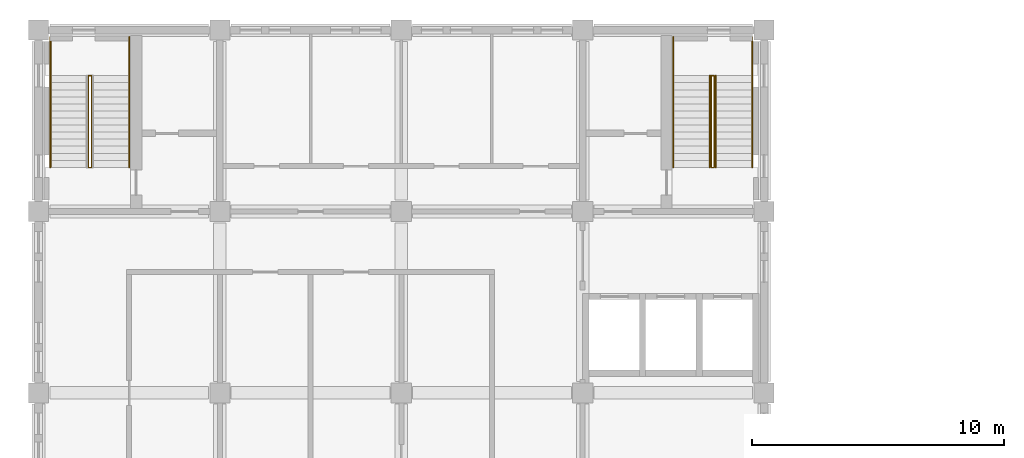
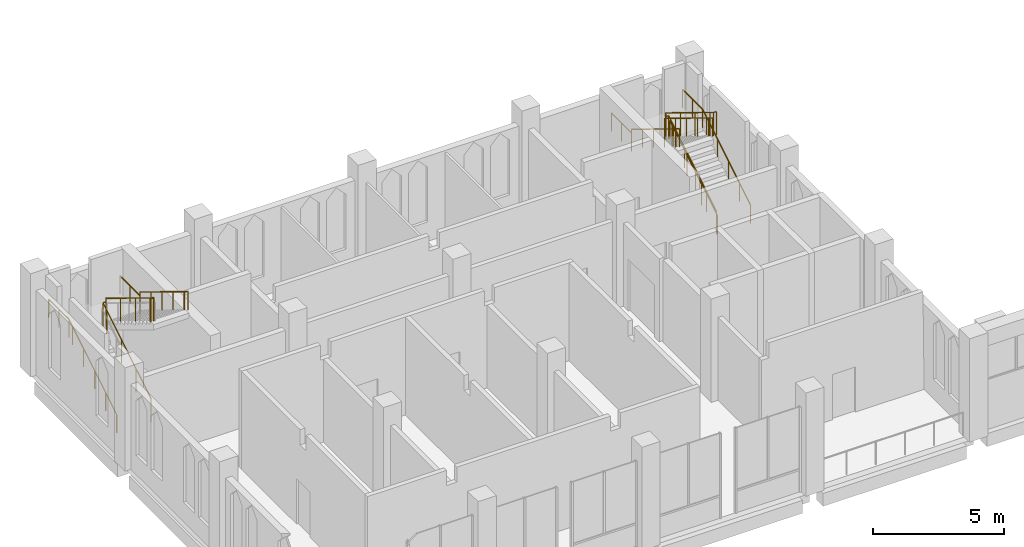
# One storey, part 31 of 31: 8 railings.
"""IFC4 building model written with IfcOpenShell, lengths in metres."""

from ifc_helpers import new_model, si_unit, direction, frame, origin, origin_2d, place, context, subcontext, project, spatial, circle, extrude, material, type_object, element, save


model = new_model("IFC4")

# Units and contexts
model_context = context("Model", 3, precision=1e-05, world=origin(), true_north=direction((0.0, 1.0)))
body_context = subcontext(model_context, "Body", "Model", "MODEL_VIEW")
ifc_project = project(units=[si_unit("LENGTHUNIT", "METRE"), si_unit("AREAUNIT", "SQUARE_METRE"), si_unit("VOLUMEUNIT", "CUBIC_METRE"), si_unit("PLANEANGLEUNIT", "RADIAN"), si_unit("MASSUNIT", "GRAM", prefix="KILO")], contexts=[model_context])

# Site, building, storey
site_placement = place(None, origin())
site = spatial("IfcSite", under=ifc_project, at=site_placement, CompositionType="ELEMENT")
building_placement = place(site_placement, origin())
building = spatial("IfcBuilding", under=site, at=building_placement, Name="Silangan Lancet Faculty of Sciences", CompositionType="ELEMENT")
storey_placement = place(building_placement, frame((0.0, 0.0, 36.0)))
storey = spatial("IfcBuildingStorey", under=building, at=storey_placement, Name="L07", CompositionType="ELEMENT", Elevation=36.0)

# Railings
ifc_material_1 = material(Name="Steel balustrade", Category="steel")
railing_type_1 = type_object("IfcRailingType", Name="STAIR GUARD 1100", PredefinedType="GUARDRAIL", material=ifc_material_1)
railing_1_placement = place(storey_placement, frame((1.97509765625, 52.14990234375, 0.17138671875)))
element("IfcRailing", 1, at=railing_1_placement, inside=storey, type_object=railing_type_1, Name="GUARD-NT-A-L07", PredefinedType="GUARDRAIL", context=body_context, shape_type="SweptSolid", body=[
    extrude(circle(Radius=0.02392578125, at=origin_2d()), frame((0.0, 0.0, 1.076171875), z_axis=(0.0, 0.852849614702, 0.52215661894), x_axis=(-1.0, 0.0, 0.0)), (0.0, 0.0, 1.0), 1.3134765625),
    extrude(circle(Radius=0.02392578125, at=origin_2d()), frame((0.0, 1.1201171875, 1.76171875), z_axis=(0.0, 0.852798921012, 0.522239409008), x_axis=(-1.0, 0.0, 0.0)), (0.0, 0.0, 1.0), 1.313232421875),
    extrude(circle(Radius=0.02392578125, at=origin_2d()), frame((0.0, 2.239990234375, 2.44775390625), z_axis=(0.0, 0.852932391421, 0.522021393877), x_axis=(-1.0, 0.0, 0.0)), (0.0, 0.0, 1.0), 1.313232421875),
    extrude(circle(Radius=0.02392578125, at=origin_2d()), frame((0.0, 3.360107421875, 3.13330078125), z_axis=(0.0, 0.852932391421, 0.522021393877), x_axis=(-1.0, 0.0, 0.0)), (0.0, 0.0, 1.0), 0.328369140625),
    extrude(circle(Radius=0.02392578125, at=origin_2d()), frame((0.0, 3.64013671875, 3.3046875), z_axis=(1.0, 0.0, 0.0), x_axis=(0.0, 1.0, 0.0)), (0.0, 0.0, 1.0), 0.125),
    extrude(circle(Radius=0.02392578125, at=origin_2d()), frame((0.125, 3.64013671875, 3.3046875), z_axis=(0.0, 0.0, 1.0), x_axis=(1.0, 0.0, 0.0)), (0.0, 0.0, 1.0), 0.17138671875),
    extrude(circle(Radius=0.02392578125, at=origin_2d()), frame((0.125, 3.64013671875, 3.47607421875), z_axis=(0.0, -0.852849614702, 0.52215661894), x_axis=(1.0, 0.0, 0.0)), (0.0, 0.0, 1.0), 1.3134765625),
    extrude(circle(Radius=0.02392578125, at=origin_2d()), frame((0.125, 2.52001953125, 4.16162109375), z_axis=(0.0, -0.852798921012, 0.522239409008), x_axis=(1.0, 0.0, 0.0)), (0.0, 0.0, 1.0), 1.313232421875),
    extrude(circle(Radius=0.02392578125, at=origin_2d()), frame((0.125, 1.400146484375, 4.84765625), z_axis=(0.0, -0.852849614702, 0.52215661894), x_axis=(1.0, 0.0, 0.0)), (0.0, 0.0, 1.0), 1.3134765625),
    extrude(circle(Radius=0.02392578125, at=origin_2d()), frame((0.125, 0.280029296875, 5.533203125), z_axis=(0.0, -0.852932391421, 0.522021393877), x_axis=(1.0, 0.0, 0.0)), (0.0, 0.0, 1.0), 0.328369140625),
    extrude(circle(Radius=0.02392578125, at=origin_2d()), frame((0.125, 0.0, 5.70458984375), z_axis=(-1.0, 0.0, 0.0), x_axis=(0.0, -1.0, 0.0)), (0.0, 0.0, 1.0), 0.125),
    extrude(circle(Radius=0.02099609375, at=origin_2d()), origin(), (0.0, 0.0, 1.0), 1.052001953125),
    extrude(circle(Radius=0.02099609375, at=origin_2d()), frame((0.0, 1.1201171875, 0.685791015625)), (0.0, 0.0, 1.0), 1.052001953125),
    extrude(circle(Radius=0.02099609375, at=origin_2d()), frame((0.0, 2.239990234375, 1.37158203125)), (0.0, 0.0, 1.0), 1.052001953125),
    extrude(circle(Radius=0.02099609375, at=origin_2d()), frame((0.0, 3.360107421875, 2.05712890625)), (0.0, 0.0, 1.0), 1.052001953125),
    extrude(circle(Radius=0.02099609375, at=origin_2d()), frame((0.0, 3.64013671875, 2.228515625)), (0.0, 0.0, 1.0), 1.052001953125),
    extrude(circle(Radius=0.02099609375, at=origin_2d()), frame((0.125, 3.64013671875, 2.228515625)), (0.0, 0.0, 1.0), 1.052001953125),
    extrude(circle(Radius=0.02099609375, at=origin_2d()), frame((0.125, 3.64013671875, 2.39990234375)), (0.0, 0.0, 1.0), 1.052001953125),
    extrude(circle(Radius=0.02099609375, at=origin_2d()), frame((0.125, 2.52001953125, 3.085693359375)), (0.0, 0.0, 1.0), 1.052001953125),
    extrude(circle(Radius=0.02099609375, at=origin_2d()), frame((0.125, 1.400146484375, 3.771484375)), (0.0, 0.0, 1.0), 1.052001953125),
    extrude(circle(Radius=0.02099609375, at=origin_2d()), frame((0.125, 0.280029296875, 4.457275390625)), (0.0, 0.0, 1.0), 1.052001953125),
    extrude(circle(Radius=0.02099609375, at=origin_2d()), frame((0.125, 0.0, 4.628662109375)), (0.0, 0.0, 1.0), 1.052001953125),
    extrude(circle(Radius=0.02099609375, at=origin_2d()), frame((0.0, 0.0, 4.628662109375)), (0.0, 0.0, 1.0), 1.052001953125),
])
railing_2_placement = place(storey_placement, frame((26.824951171875, 52.14990234375, 0.17138671875)))
element("IfcRailing", 2, at=railing_2_placement, inside=storey, type_object=railing_type_1, Name="GUARD-NT-B-L07", PredefinedType="GUARDRAIL", context=body_context, shape_type="SweptSolid", body=[
    extrude(circle(Radius=0.02392578125, at=origin_2d()), frame((0.0, 0.0, 1.076171875), z_axis=(0.0, 0.852849614702, 0.52215661894), x_axis=(-1.0, 0.0, 0.0)), (0.0, 0.0, 1.0), 1.3134765625),
    extrude(circle(Radius=0.02392578125, at=origin_2d()), frame((0.0, 1.1201171875, 1.76171875), z_axis=(0.0, 0.852798921012, 0.522239409008), x_axis=(-1.0, 0.0, 0.0)), (0.0, 0.0, 1.0), 1.313232421875),
    extrude(circle(Radius=0.02392578125, at=origin_2d()), frame((0.0, 2.239990234375, 2.44775390625), z_axis=(0.0, 0.852932391421, 0.522021393877), x_axis=(-1.0, 0.0, 0.0)), (0.0, 0.0, 1.0), 1.313232421875),
    extrude(circle(Radius=0.02392578125, at=origin_2d()), frame((0.0, 3.360107421875, 3.13330078125), z_axis=(0.0, 0.852932391421, 0.522021393877), x_axis=(-1.0, 0.0, 0.0)), (0.0, 0.0, 1.0), 0.328369140625),
    extrude(circle(Radius=0.02392578125, at=origin_2d()), frame((0.0, 3.64013671875, 3.3046875), z_axis=(-1.0, 0.0, 0.0), x_axis=(0.0, -1.0, 0.0)), (0.0, 0.0, 1.0), 0.125),
    extrude(circle(Radius=0.02392578125, at=origin_2d()), frame((-0.125, 3.64013671875, 3.3046875), z_axis=(0.0, 0.0, 1.0), x_axis=(1.0, 0.0, 0.0)), (0.0, 0.0, 1.0), 0.17138671875),
    extrude(circle(Radius=0.02392578125, at=origin_2d()), frame((-0.125, 3.64013671875, 3.47607421875), z_axis=(0.0, -0.852849614702, 0.52215661894), x_axis=(1.0, 0.0, 0.0)), (0.0, 0.0, 1.0), 1.3134765625),
    extrude(circle(Radius=0.02392578125, at=origin_2d()), frame((-0.125, 2.52001953125, 4.16162109375), z_axis=(0.0, -0.852798921012, 0.522239409008), x_axis=(1.0, 0.0, 0.0)), (0.0, 0.0, 1.0), 1.313232421875),
    extrude(circle(Radius=0.02392578125, at=origin_2d()), frame((-0.125, 1.400146484375, 4.84765625), z_axis=(0.0, -0.852849614702, 0.52215661894), x_axis=(1.0, 0.0, 0.0)), (0.0, 0.0, 1.0), 1.3134765625),
    extrude(circle(Radius=0.02392578125, at=origin_2d()), frame((-0.125, 0.280029296875, 5.533203125), z_axis=(0.0, -0.852932391421, 0.522021393877), x_axis=(1.0, 0.0, 0.0)), (0.0, 0.0, 1.0), 0.328369140625),
    extrude(circle(Radius=0.02392578125, at=origin_2d()), frame((-0.125, 0.0, 5.70458984375), z_axis=(1.0, 0.0, 0.0), x_axis=(0.0, 1.0, 0.0)), (0.0, 0.0, 1.0), 0.125),
    extrude(circle(Radius=0.02099609375, at=origin_2d()), origin(), (0.0, 0.0, 1.0), 1.052001953125),
    extrude(circle(Radius=0.02099609375, at=origin_2d()), frame((0.0, 1.1201171875, 0.685791015625)), (0.0, 0.0, 1.0), 1.052001953125),
    extrude(circle(Radius=0.02099609375, at=origin_2d()), frame((0.0, 2.239990234375, 1.37158203125)), (0.0, 0.0, 1.0), 1.052001953125),
    extrude(circle(Radius=0.02099609375, at=origin_2d()), frame((0.0, 3.360107421875, 2.05712890625)), (0.0, 0.0, 1.0), 1.052001953125),
    extrude(circle(Radius=0.02099609375, at=origin_2d()), frame((0.0, 3.64013671875, 2.228515625)), (0.0, 0.0, 1.0), 1.052001953125),
    extrude(circle(Radius=0.02099609375, at=origin_2d()), frame((-0.125, 3.64013671875, 2.228515625)), (0.0, 0.0, 1.0), 1.052001953125),
    extrude(circle(Radius=0.02099609375, at=origin_2d()), frame((-0.125, 3.64013671875, 2.39990234375)), (0.0, 0.0, 1.0), 1.052001953125),
    extrude(circle(Radius=0.02099609375, at=origin_2d()), frame((-0.125, 2.52001953125, 3.085693359375)), (0.0, 0.0, 1.0), 1.052001953125),
    extrude(circle(Radius=0.02099609375, at=origin_2d()), frame((-0.125, 1.400146484375, 3.771484375)), (0.0, 0.0, 1.0), 1.052001953125),
    extrude(circle(Radius=0.02099609375, at=origin_2d()), frame((-0.125, 0.280029296875, 4.457275390625)), (0.0, 0.0, 1.0), 1.052001953125),
    extrude(circle(Radius=0.02099609375, at=origin_2d()), frame((-0.125, 0.0, 4.628662109375)), (0.0, 0.0, 1.0), 1.052001953125),
    extrude(circle(Radius=0.02099609375, at=origin_2d()), frame((0.0, 0.0, 4.628662109375)), (0.0, 0.0, 1.0), 1.052001953125),
])
ifc_material_2 = material(Name="Stainless steel", Category="steel")
railing_type_2 = type_object("IfcRailingType", Name="STAIR HANDRAIL 865", PredefinedType="HANDRAIL", material=ifc_material_2)
railing_3_placement = place(storey_placement, frame((0.47509765625, 52.14990234375, 0.17138671875)))
element("IfcRailing", 3, at=railing_3_placement, inside=storey, type_object=railing_type_2, Name="HANDRAIL-NT-A-L07-O1", PredefinedType="HANDRAIL", context=body_context, shape_type="SweptSolid", body=[
    extrude(circle(Radius=0.02392578125, at=origin_2d()), frame((0.0, 0.0, 0.8408203125), z_axis=(0.0, 0.852822021269, 0.522201685212), x_axis=(-1.0, 0.0, 0.0)), (0.0, 0.0, 1.0), 0.985107421875),
    extrude(circle(Radius=0.02392578125, at=origin_2d()), frame((0.0, 0.840087890625, 1.35546875), z_axis=(0.0, 0.852932391421, 0.522021393877), x_axis=(-1.0, 0.0, 0.0)), (0.0, 0.0, 1.0), 0.98486328125),
    extrude(circle(Radius=0.02392578125, at=origin_2d()), frame((0.0, 1.68017578125, 1.86962890625), z_axis=(0.0, 0.852754414843, 0.522312079092), x_axis=(-1.0, 0.0, 0.0)), (0.0, 0.0, 1.0), 0.98486328125),
    extrude(circle(Radius=0.02392578125, at=origin_2d()), frame((0.0, 2.52001953125, 2.3837890625), z_axis=(0.0, 0.852932391421, 0.522021393877), x_axis=(-1.0, 0.0, 0.0)), (0.0, 0.0, 1.0), 0.98486328125),
    extrude(circle(Radius=0.02392578125, at=origin_2d()), frame((0.0, 3.360107421875, 2.89794921875), z_axis=(0.0, 0.852932391421, 0.522021393877), x_axis=(-1.0, 0.0, 0.0)), (0.0, 0.0, 1.0), 0.328369140625),
    extrude(circle(Radius=0.02392578125, at=origin_2d()), frame((0.0, 3.64013671875, 3.0693359375), z_axis=(0.0, 1.0, 0.0), x_axis=(-1.0, 0.0, 0.0)), (0.0, 0.0, 1.0), 1.534912109375),
    extrude(circle(Radius=0.02099609375, at=origin_2d()), origin(), (0.0, 0.0, 1.0), 0.81689453125),
    extrude(circle(Radius=0.02099609375, at=origin_2d()), frame((0.0, 0.840087890625, 0.514404296875)), (0.0, 0.0, 1.0), 0.81689453125),
    extrude(circle(Radius=0.02099609375, at=origin_2d()), frame((0.0, 1.68017578125, 1.028564453125)), (0.0, 0.0, 1.0), 0.81689453125),
    extrude(circle(Radius=0.02099609375, at=origin_2d()), frame((0.0, 2.52001953125, 1.54296875)), (0.0, 0.0, 1.0), 0.81689453125),
    extrude(circle(Radius=0.02099609375, at=origin_2d()), frame((0.0, 3.360107421875, 2.05712890625)), (0.0, 0.0, 1.0), 0.81689453125),
    extrude(circle(Radius=0.02099609375, at=origin_2d()), frame((0.0, 3.64013671875, 2.228515625)), (0.0, 0.0, 1.0), 0.81689453125),
    extrude(circle(Radius=0.02099609375, at=origin_2d()), frame((0.0, 4.40771484375, 2.228515625)), (0.0, 0.0, 1.0), 0.81689453125),
    extrude(circle(Radius=0.02099609375, at=origin_2d()), frame((0.0, 5.175048828125, 2.228515625)), (0.0, 0.0, 1.0), 0.81689453125),
])
railing_4_placement = place(storey_placement, frame((3.60009765625, 57.324951171875, 2.39990234375)))
element("IfcRailing", 4, at=railing_4_placement, inside=storey, type_object=railing_type_2, Name="HANDRAIL-NT-A-L07-O2", PredefinedType="HANDRAIL", context=body_context, shape_type="SweptSolid", body=[
    extrude(circle(Radius=0.02392578125, at=origin_2d()), frame((0.0, 0.0, 0.8408203125), z_axis=(0.0, -1.0, 0.0), x_axis=(1.0, 0.0, 0.0)), (0.0, 0.0, 1.0), 1.534912109375),
    extrude(circle(Radius=0.02392578125, at=origin_2d()), frame((0.0, -1.534912109375, 0.8408203125), z_axis=(0.0, 0.0, 1.0), x_axis=(1.0, 0.0, 0.0)), (0.0, 0.0, 1.0), 0.17138671875),
    extrude(circle(Radius=0.02392578125, at=origin_2d()), frame((0.0, -1.534912109375, 1.01220703125), z_axis=(0.0, -0.852822021269, 0.522201685212), x_axis=(1.0, 0.0, 0.0)), (0.0, 0.0, 1.0), 0.985107421875),
    extrude(circle(Radius=0.02392578125, at=origin_2d()), frame((0.0, -2.375, 1.52685546875), z_axis=(0.0, -0.852754414843, 0.522312079092), x_axis=(1.0, 0.0, 0.0)), (0.0, 0.0, 1.0), 0.98486328125),
    extrude(circle(Radius=0.02392578125, at=origin_2d()), frame((0.0, -3.21484375, 2.041015625), z_axis=(0.0, -0.852932391421, 0.522021393877), x_axis=(1.0, 0.0, 0.0)), (0.0, 0.0, 1.0), 0.98486328125),
    extrude(circle(Radius=0.02392578125, at=origin_2d()), frame((0.0, -4.054931640625, 2.55517578125), z_axis=(0.0, -0.852822021269, 0.522201685212), x_axis=(1.0, 0.0, 0.0)), (0.0, 0.0, 1.0), 0.985107421875),
    extrude(circle(Radius=0.02392578125, at=origin_2d()), frame((0.0, -4.89501953125, 3.06982421875), z_axis=(0.0, -0.852932391421, 0.522021393877), x_axis=(1.0, 0.0, 0.0)), (0.0, 0.0, 1.0), 0.328369140625),
    extrude(circle(Radius=0.02099609375, at=origin_2d()), origin(), (0.0, 0.0, 1.0), 0.81689453125),
    extrude(circle(Radius=0.02099609375, at=origin_2d()), frame((0.0, -0.767578125, 0.0)), (0.0, 0.0, 1.0), 0.81689453125),
    extrude(circle(Radius=0.02099609375, at=origin_2d()), frame((0.0, -1.534912109375, 0.0)), (0.0, 0.0, 1.0), 0.81689453125),
    extrude(circle(Radius=0.02099609375, at=origin_2d()), frame((0.0, -1.534912109375, 0.17138671875)), (0.0, 0.0, 1.0), 0.81689453125),
    extrude(circle(Radius=0.02099609375, at=origin_2d()), frame((0.0, -2.375, 0.685791015625)), (0.0, 0.0, 1.0), 0.81689453125),
    extrude(circle(Radius=0.02099609375, at=origin_2d()), frame((0.0, -3.21484375, 1.2001953125)), (0.0, 0.0, 1.0), 0.81689453125),
    extrude(circle(Radius=0.02099609375, at=origin_2d()), frame((0.0, -4.054931640625, 1.71435546875)), (0.0, 0.0, 1.0), 0.81689453125),
    extrude(circle(Radius=0.02099609375, at=origin_2d()), frame((0.0, -4.89501953125, 2.228759765625)), (0.0, 0.0, 1.0), 0.81689453125),
    extrude(circle(Radius=0.02099609375, at=origin_2d()), frame((0.0, -5.175048828125, 2.400146484375)), (0.0, 0.0, 1.0), 0.81689453125),
])
railing_5_placement = place(storey_placement, frame((28.324951171875, 52.14990234375, 0.17138671875)))
element("IfcRailing", 5, at=railing_5_placement, inside=storey, type_object=railing_type_2, Name="HANDRAIL-NT-B-L07-O1", PredefinedType="HANDRAIL", context=body_context, shape_type="SweptSolid", body=[
    extrude(circle(Radius=0.02392578125, at=origin_2d()), frame((0.0, 0.0, 0.8408203125), z_axis=(0.0, 0.852822021269, 0.522201685212), x_axis=(-1.0, 0.0, 0.0)), (0.0, 0.0, 1.0), 0.985107421875),
    extrude(circle(Radius=0.02392578125, at=origin_2d()), frame((0.0, 0.840087890625, 1.35546875), z_axis=(0.0, 0.852932391421, 0.522021393877), x_axis=(-1.0, 0.0, 0.0)), (0.0, 0.0, 1.0), 0.98486328125),
    extrude(circle(Radius=0.02392578125, at=origin_2d()), frame((0.0, 1.68017578125, 1.86962890625), z_axis=(0.0, 0.852754414843, 0.522312079092), x_axis=(-1.0, 0.0, 0.0)), (0.0, 0.0, 1.0), 0.98486328125),
    extrude(circle(Radius=0.02392578125, at=origin_2d()), frame((0.0, 2.52001953125, 2.3837890625), z_axis=(0.0, 0.852932391421, 0.522021393877), x_axis=(-1.0, 0.0, 0.0)), (0.0, 0.0, 1.0), 0.98486328125),
    extrude(circle(Radius=0.02392578125, at=origin_2d()), frame((0.0, 3.360107421875, 2.89794921875), z_axis=(0.0, 0.852932391421, 0.522021393877), x_axis=(-1.0, 0.0, 0.0)), (0.0, 0.0, 1.0), 0.328369140625),
    extrude(circle(Radius=0.02392578125, at=origin_2d()), frame((0.0, 3.64013671875, 3.0693359375), z_axis=(0.0, 1.0, 0.0), x_axis=(-1.0, 0.0, 0.0)), (0.0, 0.0, 1.0), 1.534912109375),
    extrude(circle(Radius=0.02099609375, at=origin_2d()), origin(), (0.0, 0.0, 1.0), 0.81689453125),
    extrude(circle(Radius=0.02099609375, at=origin_2d()), frame((0.0, 0.840087890625, 0.514404296875)), (0.0, 0.0, 1.0), 0.81689453125),
    extrude(circle(Radius=0.02099609375, at=origin_2d()), frame((0.0, 1.68017578125, 1.028564453125)), (0.0, 0.0, 1.0), 0.81689453125),
    extrude(circle(Radius=0.02099609375, at=origin_2d()), frame((0.0, 2.52001953125, 1.54296875)), (0.0, 0.0, 1.0), 0.81689453125),
    extrude(circle(Radius=0.02099609375, at=origin_2d()), frame((0.0, 3.360107421875, 2.05712890625)), (0.0, 0.0, 1.0), 0.81689453125),
    extrude(circle(Radius=0.02099609375, at=origin_2d()), frame((0.0, 3.64013671875, 2.228515625)), (0.0, 0.0, 1.0), 0.81689453125),
    extrude(circle(Radius=0.02099609375, at=origin_2d()), frame((0.0, 4.40771484375, 2.228515625)), (0.0, 0.0, 1.0), 0.81689453125),
    extrude(circle(Radius=0.02099609375, at=origin_2d()), frame((0.0, 5.175048828125, 2.228515625)), (0.0, 0.0, 1.0), 0.81689453125),
])
railing_6_placement = place(storey_placement, frame((26.875, 52.14990234375, 0.17138671875)))
element("IfcRailing", 6, at=railing_6_placement, inside=storey, type_object=railing_type_2, Name="HANDRAIL-NT-B-L07-I1", PredefinedType="HANDRAIL", context=body_context, shape_type="SweptSolid", body=[
    extrude(circle(Radius=0.02392578125, at=origin_2d()), frame((0.0, 0.0, 0.8408203125), z_axis=(0.0, 0.852822021269, 0.522201685212), x_axis=(-1.0, 0.0, 0.0)), (0.0, 0.0, 1.0), 0.985107421875),
    extrude(circle(Radius=0.02392578125, at=origin_2d()), frame((0.0, 0.840087890625, 1.35546875), z_axis=(0.0, 0.852932391421, 0.522021393877), x_axis=(-1.0, 0.0, 0.0)), (0.0, 0.0, 1.0), 0.98486328125),
    extrude(circle(Radius=0.02392578125, at=origin_2d()), frame((0.0, 1.68017578125, 1.86962890625), z_axis=(0.0, 0.852754414843, 0.522312079092), x_axis=(-1.0, 0.0, 0.0)), (0.0, 0.0, 1.0), 0.98486328125),
    extrude(circle(Radius=0.02392578125, at=origin_2d()), frame((0.0, 2.52001953125, 2.3837890625), z_axis=(0.0, 0.852932391421, 0.522021393877), x_axis=(-1.0, 0.0, 0.0)), (0.0, 0.0, 1.0), 0.98486328125),
    extrude(circle(Radius=0.02392578125, at=origin_2d()), frame((0.0, 3.360107421875, 2.89794921875), z_axis=(0.0, 0.852932391421, 0.522021393877), x_axis=(-1.0, 0.0, 0.0)), (0.0, 0.0, 1.0), 0.328369140625),
    extrude(circle(Radius=0.02099609375, at=origin_2d()), origin(), (0.0, 0.0, 1.0), 0.81689453125),
    extrude(circle(Radius=0.02099609375, at=origin_2d()), frame((0.0, 0.840087890625, 0.514404296875)), (0.0, 0.0, 1.0), 0.81689453125),
    extrude(circle(Radius=0.02099609375, at=origin_2d()), frame((0.0, 1.68017578125, 1.028564453125)), (0.0, 0.0, 1.0), 0.81689453125),
    extrude(circle(Radius=0.02099609375, at=origin_2d()), frame((0.0, 2.52001953125, 1.54296875)), (0.0, 0.0, 1.0), 0.81689453125),
    extrude(circle(Radius=0.02099609375, at=origin_2d()), frame((0.0, 3.360107421875, 2.05712890625)), (0.0, 0.0, 1.0), 0.81689453125),
    extrude(circle(Radius=0.02099609375, at=origin_2d()), frame((0.0, 3.64013671875, 2.228515625)), (0.0, 0.0, 1.0), 0.81689453125),
])
railing_7_placement = place(storey_placement, frame((25.199951171875, 57.324951171875, 2.39990234375)))
element("IfcRailing", 7, at=railing_7_placement, inside=storey, type_object=railing_type_2, Name="HANDRAIL-NT-B-L07-O2", PredefinedType="HANDRAIL", context=body_context, shape_type="SweptSolid", body=[
    extrude(circle(Radius=0.02392578125, at=origin_2d()), frame((0.0, 0.0, 0.8408203125), z_axis=(0.0, -1.0, 0.0), x_axis=(1.0, 0.0, 0.0)), (0.0, 0.0, 1.0), 1.534912109375),
    extrude(circle(Radius=0.02392578125, at=origin_2d()), frame((0.0, -1.534912109375, 0.8408203125), z_axis=(0.0, 0.0, 1.0), x_axis=(1.0, 0.0, 0.0)), (0.0, 0.0, 1.0), 0.17138671875),
    extrude(circle(Radius=0.02392578125, at=origin_2d()), frame((0.0, -1.534912109375, 1.01220703125), z_axis=(0.0, -0.852822021269, 0.522201685212), x_axis=(1.0, 0.0, 0.0)), (0.0, 0.0, 1.0), 0.985107421875),
    extrude(circle(Radius=0.02392578125, at=origin_2d()), frame((0.0, -2.375, 1.52685546875), z_axis=(0.0, -0.852754414843, 0.522312079092), x_axis=(1.0, 0.0, 0.0)), (0.0, 0.0, 1.0), 0.98486328125),
    extrude(circle(Radius=0.02392578125, at=origin_2d()), frame((0.0, -3.21484375, 2.041015625), z_axis=(0.0, -0.852932391421, 0.522021393877), x_axis=(1.0, 0.0, 0.0)), (0.0, 0.0, 1.0), 0.98486328125),
    extrude(circle(Radius=0.02392578125, at=origin_2d()), frame((0.0, -4.054931640625, 2.55517578125), z_axis=(0.0, -0.852822021269, 0.522201685212), x_axis=(1.0, 0.0, 0.0)), (0.0, 0.0, 1.0), 0.985107421875),
    extrude(circle(Radius=0.02392578125, at=origin_2d()), frame((0.0, -4.89501953125, 3.06982421875), z_axis=(0.0, -0.852932391421, 0.522021393877), x_axis=(1.0, 0.0, 0.0)), (0.0, 0.0, 1.0), 0.328369140625),
    extrude(circle(Radius=0.02099609375, at=origin_2d()), origin(), (0.0, 0.0, 1.0), 0.81689453125),
    extrude(circle(Radius=0.02099609375, at=origin_2d()), frame((0.0, -0.767578125, 0.0)), (0.0, 0.0, 1.0), 0.81689453125),
    extrude(circle(Radius=0.02099609375, at=origin_2d()), frame((0.0, -1.534912109375, 0.0)), (0.0, 0.0, 1.0), 0.81689453125),
    extrude(circle(Radius=0.02099609375, at=origin_2d()), frame((0.0, -1.534912109375, 0.17138671875)), (0.0, 0.0, 1.0), 0.81689453125),
    extrude(circle(Radius=0.02099609375, at=origin_2d()), frame((0.0, -2.375, 0.685791015625)), (0.0, 0.0, 1.0), 0.81689453125),
    extrude(circle(Radius=0.02099609375, at=origin_2d()), frame((0.0, -3.21484375, 1.2001953125)), (0.0, 0.0, 1.0), 0.81689453125),
    extrude(circle(Radius=0.02099609375, at=origin_2d()), frame((0.0, -4.054931640625, 1.71435546875)), (0.0, 0.0, 1.0), 0.81689453125),
    extrude(circle(Radius=0.02099609375, at=origin_2d()), frame((0.0, -4.89501953125, 2.228759765625)), (0.0, 0.0, 1.0), 0.81689453125),
    extrude(circle(Radius=0.02099609375, at=origin_2d()), frame((0.0, -5.175048828125, 2.400146484375)), (0.0, 0.0, 1.0), 0.81689453125),
])
railing_8_placement = place(storey_placement, frame((26.64990234375, 55.7900390625, 2.5712890625)))
element("IfcRailing", 8, at=railing_8_placement, inside=storey, type_object=railing_type_2, Name="HANDRAIL-NT-B-L07-I2", PredefinedType="HANDRAIL", context=body_context, shape_type="SweptSolid", body=[
    extrude(circle(Radius=0.02392578125, at=origin_2d()), frame((0.0, 0.0, 0.8408203125), z_axis=(0.0, -0.852822021269, 0.522201685212), x_axis=(1.0, 0.0, 0.0)), (0.0, 0.0, 1.0), 0.985107421875),
    extrude(circle(Radius=0.02392578125, at=origin_2d()), frame((0.0, -0.840087890625, 1.35546875), z_axis=(0.0, -0.852754414843, 0.522312079092), x_axis=(1.0, 0.0, 0.0)), (0.0, 0.0, 1.0), 0.98486328125),
    extrude(circle(Radius=0.02392578125, at=origin_2d()), frame((0.0, -1.679931640625, 1.86962890625), z_axis=(0.0, -0.852932391421, 0.522021393877), x_axis=(1.0, 0.0, 0.0)), (0.0, 0.0, 1.0), 0.98486328125),
    extrude(circle(Radius=0.02392578125, at=origin_2d()), frame((0.0, -2.52001953125, 2.3837890625), z_axis=(0.0, -0.852822021269, 0.522201685212), x_axis=(1.0, 0.0, 0.0)), (0.0, 0.0, 1.0), 0.985107421875),
    extrude(circle(Radius=0.02392578125, at=origin_2d()), frame((0.0, -3.360107421875, 2.8984375), z_axis=(0.0, -0.852932391421, 0.522021393877), x_axis=(1.0, 0.0, 0.0)), (0.0, 0.0, 1.0), 0.328369140625),
    extrude(circle(Radius=0.02099609375, at=origin_2d()), origin(), (0.0, 0.0, 1.0), 0.81689453125),
    extrude(circle(Radius=0.02099609375, at=origin_2d()), frame((0.0, -0.840087890625, 0.514404296875)), (0.0, 0.0, 1.0), 0.81689453125),
    extrude(circle(Radius=0.02099609375, at=origin_2d()), frame((0.0, -1.679931640625, 1.02880859375)), (0.0, 0.0, 1.0), 0.81689453125),
    extrude(circle(Radius=0.02099609375, at=origin_2d()), frame((0.0, -2.52001953125, 1.54296875)), (0.0, 0.0, 1.0), 0.81689453125),
    extrude(circle(Radius=0.02099609375, at=origin_2d()), frame((0.0, -3.360107421875, 2.057373046875)), (0.0, 0.0, 1.0), 0.81689453125),
    extrude(circle(Radius=0.02099609375, at=origin_2d()), frame((0.0, -3.64013671875, 2.228759765625)), (0.0, 0.0, 1.0), 0.81689453125),
])

save(model, "model.ifc")
